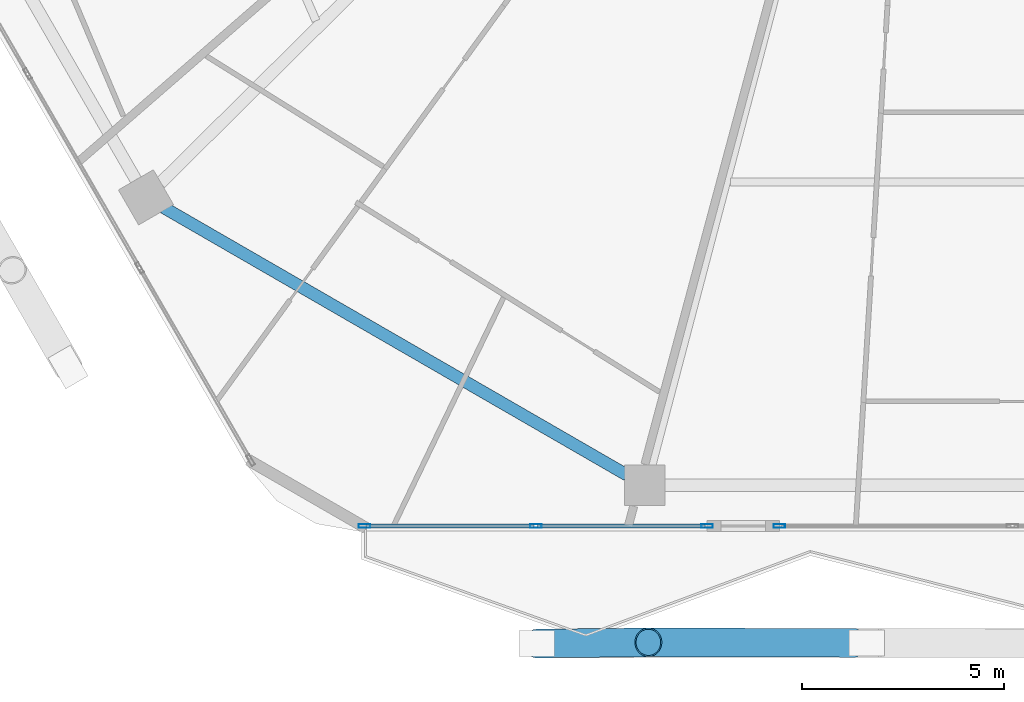
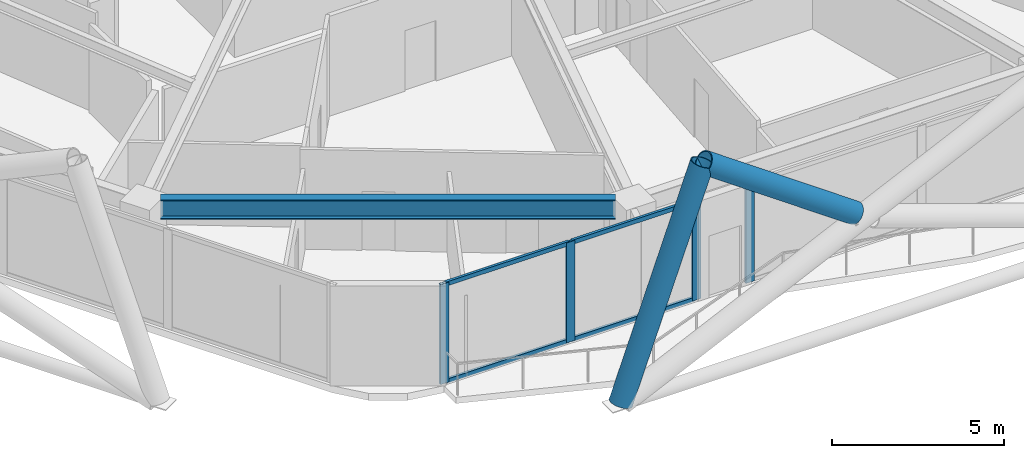
# One storey, part 3 of 29: 10 members, 1 beam, 2 elements without a shape of their own.
"""IFC4 building model written with IfcOpenShell, lengths in metres."""

from ifc_helpers import new_model, si_unit, direction, frame, origin, origin_2d, place, context, subcontext, project, spatial, hollow_rectangle, hollow_circle, i_section, extrude, material, material_profile, profile_set, type_object, element, aggregate, save


model = new_model("IFC4")

# Units and contexts
model_context = context("Model", 3, precision=1e-05, world=origin(), true_north=direction((0.0, 1.0)))
body_context = subcontext(model_context, "Body", "Model", "MODEL_VIEW")
ifc_project = project(units=[si_unit("LENGTHUNIT", "METRE"), si_unit("AREAUNIT", "SQUARE_METRE"), si_unit("VOLUMEUNIT", "CUBIC_METRE"), si_unit("PLANEANGLEUNIT", "RADIAN"), si_unit("MASSUNIT", "GRAM", prefix="KILO")], contexts=[model_context])

# Site, building, storey
site_placement = place(None, origin())
site = spatial("IfcSite", under=ifc_project, at=site_placement, CompositionType="ELEMENT")
building_placement = place(site_placement, origin())
building = spatial("IfcBuilding", under=site, at=building_placement, Name="Zuhravey Tower", CompositionType="ELEMENT")
storey_placement = place(building_placement, frame((0.0, 0.0, 161.800048828125)))
storey = spatial("IfcBuildingStorey", under=building, at=storey_placement, Name="L40", CompositionType="ELEMENT", Elevation=161.800048828125)

# Curtain wall, member
ifc_material_1 = material(Name="Thermally broken anodised aluminium", Category="aluminium")
curtain_wall_type = type_object("IfcCurtainWallType", Name="Zone 1-2 Residential Curtain Wall CW3", PredefinedType="NOTDEFINED", material=ifc_material_1)
curtain_wall_1_placement = place(storey_placement, origin())
curtain_wall_1 = element("IfcCurtainWall", 1, at=curtain_wall_1_placement, inside=storey, type_object=curtain_wall_type, Name="L40 CW3 CW-L40-F5-1", PredefinedType="NOTDEFINED")
ifc_material_2 = material(Name="Anodised aluminium", Category="aluminium")
ifc_material_profile_1 = material_profile(ifc_material_2, hollow_rectangle(XDim=0.090087890625, YDim=0.284912109375, WallThickness=0.0048828125, at=origin_2d()), Name="ALU-RHS-90x285x5")
ifc_profile_set_1 = profile_set([ifc_material_profile_1], Name="Anodised aluminium")
member_type_1 = type_object("IfcMemberType", Name="Curtain-Wall Mullion 90x180", PredefinedType="MULLION", material=ifc_profile_set_1)
member_1_placement = place(storey_placement, frame((32.454345703125, 4.81689453125, 0.0), z_axis=(0.0, 0.0, 1.0), x_axis=(0.0, -1.0, 0.0)))
member_1 = element("IfcMember", 2, at=member_1_placement, type_object=member_type_1, Name="CW3 mullion 4", PredefinedType="MULLION", context=body_context, shape_type="SweptSolid", body=[
    extrude(hollow_rectangle(XDim=0.090087890625, YDim=0.284912109375, WallThickness=0.0048828125, at=origin_2d()), origin(), (0.0, 0.0, 1.0), 3.550048828125),
])
aggregate(curtain_wall_1, [member_1])

# Curtain wall, members
curtain_wall_2_placement = place(storey_placement, origin())
curtain_wall_2 = element("IfcCurtainWall", 3, at=curtain_wall_2_placement, inside=storey, type_object=curtain_wall_type, Name="L40 CW3 CW-L40-F5-2", PredefinedType="NOTDEFINED")
member_2_placement = place(storey_placement, frame((30.664306640625, 4.81689453125, 0.0), z_axis=(0.0, 0.0, 1.0), x_axis=(0.0, -1.0, 0.0)))
member_2 = element("IfcMember", 4, at=member_2_placement, type_object=member_type_1, Name="CW3 mullion 1", PredefinedType="MULLION", context=body_context, shape_type="SweptSolid", body=[
    extrude(hollow_rectangle(XDim=0.090087890625, YDim=0.284912109375, WallThickness=0.0048828125, at=origin_2d()), origin(), (0.0, 0.0, 1.0), 3.550048828125),
])
member_3_placement = place(storey_placement, frame((26.424072265625, 4.81689453125, 0.0), z_axis=(0.0, 0.0, 1.0), x_axis=(0.0, -1.0, 0.0)))
member_3 = element("IfcMember", 5, at=member_3_placement, type_object=member_type_1, Name="CW3 mullion 2", PredefinedType="MULLION", context=body_context, shape_type="SweptSolid", body=[
    extrude(hollow_rectangle(XDim=0.090087890625, YDim=0.284912109375, WallThickness=0.0048828125, at=origin_2d()), origin(), (0.0, 0.0, 1.0), 3.550048828125),
])
member_4_placement = place(storey_placement, frame((22.183837890625, 4.81689453125, 0.0), z_axis=(0.0, 0.0, 1.0), x_axis=(0.0, -1.0, 0.0)))
member_4 = element("IfcMember", 6, at=member_4_placement, type_object=member_type_1, Name="CW3 mullion 3", PredefinedType="MULLION", context=body_context, shape_type="SweptSolid", body=[
    extrude(hollow_rectangle(XDim=0.090087890625, YDim=0.284912109375, WallThickness=0.0048828125, at=origin_2d()), origin(), (0.0, 0.0, 1.0), 3.550048828125),
])
ifc_material_profile_2 = material_profile(ifc_material_2, hollow_rectangle(XDim=0.090087890625, YDim=0.14990234375, WallThickness=0.0048828125, at=origin_2d()), Name="ALU-RHS-90x150x5")
ifc_profile_set_2 = profile_set([ifc_material_profile_2], Name="Anodised aluminium")
member_type_2 = type_object("IfcMemberType", Name="Curtain-Wall Transom 90x150", PredefinedType="USERDEFINED", material=ifc_profile_set_2)
member_5_placement = place(storey_placement, frame((30.619384765625, 4.81689453125, 0.044921875), z_axis=(-1.0, 0.0, 0.0), x_axis=(0.0, -1.0, 0.0)))
member_5 = element("IfcMember", 7, at=member_5_placement, type_object=member_type_2, Name="CW3 transom 1.1", ObjectType="TRANSOM", PredefinedType="USERDEFINED", context=body_context, shape_type="SweptSolid", body=[
    extrude(hollow_rectangle(XDim=0.090087890625, YDim=0.14990234375, WallThickness=0.0048828125, at=origin_2d()), origin(), (0.0, 0.0, 1.0), 4.150390625),
])
member_6_placement = place(storey_placement, frame((30.619384765625, 4.81689453125, 3.5048828125), z_axis=(-1.0, 0.0, 0.0), x_axis=(0.0, -1.0, 0.0)))
member_6 = element("IfcMember", 8, at=member_6_placement, type_object=member_type_2, Name="CW3 transom 1.2", ObjectType="TRANSOM", PredefinedType="USERDEFINED", context=body_context, shape_type="SweptSolid", body=[
    extrude(hollow_rectangle(XDim=0.090087890625, YDim=0.14990234375, WallThickness=0.0048828125, at=origin_2d()), origin(), (0.0, 0.0, 1.0), 4.150390625),
])
member_7_placement = place(storey_placement, frame((26.379150390625, 4.81689453125, 0.044921875), z_axis=(-1.0, 0.0, 0.0), x_axis=(0.0, -1.0, 0.0)))
member_7 = element("IfcMember", 9, at=member_7_placement, type_object=member_type_2, Name="CW3 transom 2.1", ObjectType="TRANSOM", PredefinedType="USERDEFINED", context=body_context, shape_type="SweptSolid", body=[
    extrude(hollow_rectangle(XDim=0.090087890625, YDim=0.14990234375, WallThickness=0.0048828125, at=origin_2d()), origin(), (0.0, 0.0, 1.0), 4.150146484375),
])
member_8_placement = place(storey_placement, frame((26.379150390625, 4.81689453125, 3.5048828125), z_axis=(-1.0, 0.0, 0.0), x_axis=(0.0, -1.0, 0.0)))
member_8 = element("IfcMember", 10, at=member_8_placement, type_object=member_type_2, Name="CW3 transom 2.2", ObjectType="TRANSOM", PredefinedType="USERDEFINED", context=body_context, shape_type="SweptSolid", body=[
    extrude(hollow_rectangle(XDim=0.090087890625, YDim=0.14990234375, WallThickness=0.0048828125, at=origin_2d()), origin(), (0.0, 0.0, 1.0), 4.150146484375),
])
aggregate(curtain_wall_2, [member_2, member_3, member_4, member_5, member_6, member_7, member_8])

# Members
ifc_material_3 = material(Name="Steel SM460", Category="steel")
ifc_material_profile_3 = material_profile(ifc_material_3, hollow_circle(Radius=0.355712890625, WallThickness=0.031982421875, at=origin_2d()), Name="CHS-711.2x32")
ifc_profile_set_3 = profile_set([ifc_material_profile_3], Name="Steel SM460")
member_type_3 = type_object("IfcMemberType", Name="Exoskeleton Zone 2 Diagrid CHS711x32", PredefinedType="BRACE", material=ifc_profile_set_3)
member_9_placement = place(storey_placement, frame((26.452392578125, 1.906982421875, -0.444091796875), z_axis=(0.342856044852, 0.003700976595, 0.939380665801), x_axis=(-0.010793920789, 0.99994174394, 0.0)))
element("IfcMember", 11, at=member_9_placement, inside=storey, type_object=member_type_3, Name="L40 Face 5 Diagrid Brace 1", PredefinedType="BRACE", context=body_context, shape_type="SweptSolid", body=[
    extrude(hollow_circle(Radius=0.355712890625, WallThickness=0.031982421875, at=origin_2d()), origin(), (0.0, 0.0, 1.0), 8.0478515625),
])
member_10_placement = place(storey_placement, frame((34.33056640625, 1.922607421875, 3.534912109375), z_axis=(-0.81749967084, 0.002281980023, 0.575924544314), x_axis=(-0.00279140312, -0.999996104027, 0.0)))
element("IfcMember", 12, at=member_10_placement, inside=storey, type_object=member_type_3, Name="L40 Face 5 Split Diagrid Brace 3B", PredefinedType="BRACE", context=body_context, shape_type="SweptSolid", body=[
    extrude(hollow_circle(Radius=0.355712890625, WallThickness=0.031982421875, at=origin_2d()), origin(), (0.0, 0.0, 1.0), 6.205322265625),
])

# Beam
ifc_material_4 = material(Name="Steel SM355", Category="steel")
ifc_material_profile_4 = material_profile(ifc_material_4, i_section(OverallWidth=0.300048828125, OverallDepth=0.679931640625, WebThickness=0.012939453125, FlangeThickness=0.02197265625, at=origin_2d()), Name="H-680x300x13x22")
ifc_profile_set_4 = profile_set([ifc_material_profile_4], Name="Steel SM355")
beam_type = type_object("IfcBeamType", Name="Perimeter Ring Beam H680x300", PredefinedType="BEAM", material=ifc_profile_set_4)
beam_placement = place(storey_placement, frame((17.210205078125, 12.701904296875, 3.2099609375), z_axis=(0.866022923061, -0.500004296715, 0.0), x_axis=(0.500004296715, 0.866022923061, 0.0)))
element("IfcBeam", 13, at=beam_placement, inside=storey, type_object=beam_type, Name="L40 PB2 BM-L40-PB-08", PredefinedType="BEAM", context=body_context, shape_type="SweptSolid", body=[
    extrude(i_section(OverallWidth=0.300048828125, OverallDepth=0.679931640625, WebThickness=0.012939453125, FlangeThickness=0.02197265625, at=origin_2d()), origin(), (0.0, 0.0, 1.0), 13.2470703125),
])

save(model, "model.ifc")
